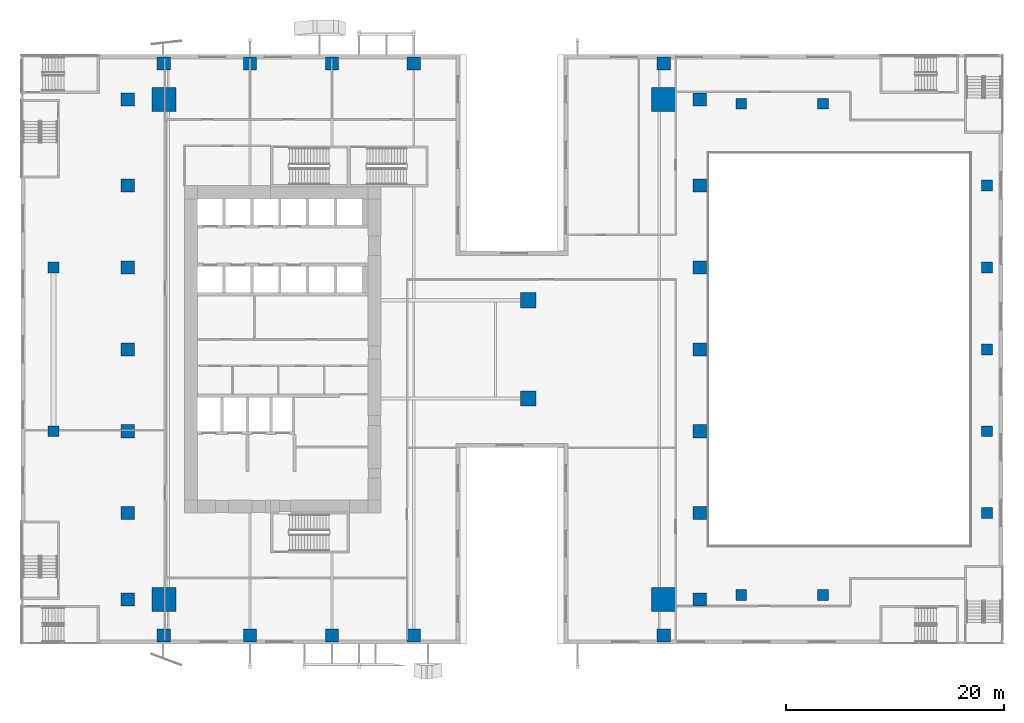
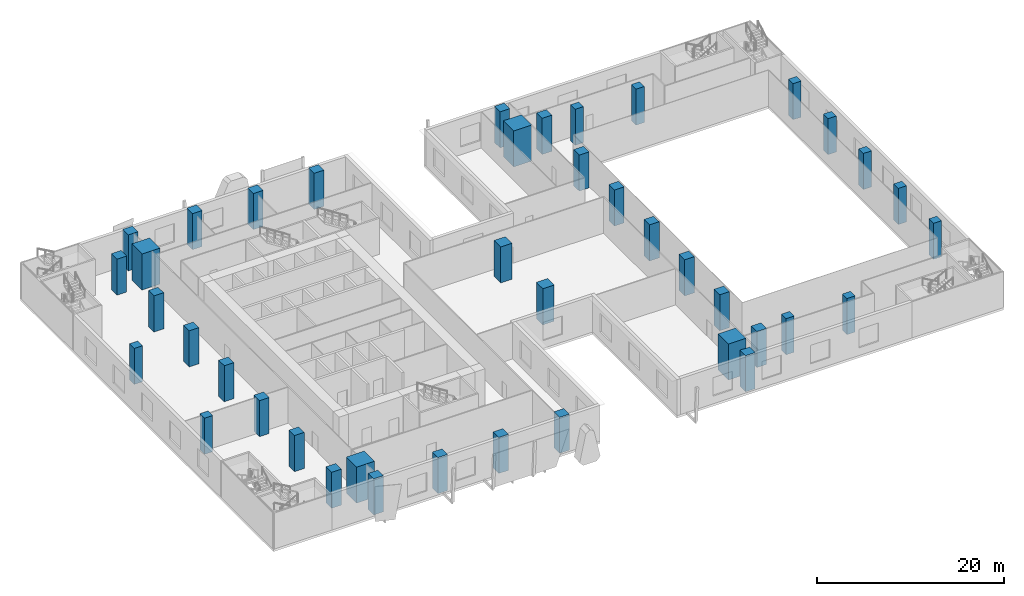
# One storey, part 1 of 22: 41 columns.
"""IFC4 building model written with IfcOpenShell, lengths in metres."""

from ifc_helpers import new_model, si_unit, direction, frame, origin, origin_2d, place, context, subcontext, project, spatial, rectangle, extrude, source, transform, mapped, material, material_profile, profile_set, type_object, element, save


model = new_model("IFC4")

# Units and contexts
model_context = context("Model", 3, precision=1e-05, world=origin(), true_north=direction((0.0, 1.0)))
body_context = subcontext(model_context, "Body", "Model", "MODEL_VIEW")
ifc_project = project(units=[si_unit("LENGTHUNIT", "METRE"), si_unit("AREAUNIT", "SQUARE_METRE"), si_unit("VOLUMEUNIT", "CUBIC_METRE"), si_unit("PLANEANGLEUNIT", "RADIAN"), si_unit("MASSUNIT", "GRAM", prefix="KILO")], contexts=[model_context])

# Site, building, storey
site_placement = place(None, origin())
site = spatial("IfcSite", under=ifc_project, at=site_placement, CompositionType="ELEMENT")
building_placement = place(site_placement, origin())
building = spatial("IfcBuilding", under=site, at=building_placement, Name="Khomas Fold Tower", CompositionType="ELEMENT")
storey_placement = place(building_placement, frame((0.0, 0.0, 23.5)))
storey = spatial("IfcBuildingStorey", under=building, at=storey_placement, Name="L04", CompositionType="ELEMENT", Elevation=23.5)

# Columns
ifc_material_1 = material(Name="Concrete C70/85", Category="concrete")
ifc_material_profile_1 = material_profile(ifc_material_1, rectangle(XDim=2.199951171875, YDim=2.199951171875, at=origin_2d()), Name="RC 2200x2200")
ifc_profile_set_1 = profile_set([ifc_material_profile_1], Name="Concrete C70/85")
column_type_1 = type_object("IfcColumnType", Name="RC 2200x2200 column", PredefinedType="COLUMN", material=ifc_profile_set_1)
shared_shape_1 = source(origin(), body_context, "Body", "SweptSolid", [
    extrude(rectangle(XDim=2.199951171875, YDim=2.199951171875, at=origin_2d()), origin(), (0.0, 0.0, 1.0), 4.699951171875),
])
for number, where, z_axis, x_axis, name in (
    (1, (49.89990234375, 49.89990234375, 0.0), (0.0, 0.0, 1.0), (1.0, 0.0, 0.0), "CM-NE"),
    (2, (4.10009765625, 49.89990234375, 0.0), (0.0, 0.0, 1.0), (1.0, 0.0, 0.0), "CM-NW"),
    (3, (49.89990234375, 4.10009765625, 0.0), (0.0, 0.0, 1.0), (1.0, 0.0, 0.0), "CM-SE"),
    (4, (4.10009765625, 4.10009765625, 0.0), (0.0, 0.0, 1.0), (1.0, 0.0, 0.0), "CM-SW"),
):
    element("IfcColumn", number, at=place(storey_placement, frame(where, z_axis=z_axis, x_axis=x_axis)), inside=storey, type_object=column_type_1, Name=name, PredefinedType="COLUMN", context=body_context, shape_type="MappedRepresentation", body=[
        mapped(shared_shape_1, transform((0.0, 0.0, 0.0))),
    ])
ifc_material_2 = material(Name="Concrete C60/75", Category="concrete")
ifc_material_profile_2 = material_profile(ifc_material_2, rectangle(XDim=1.199951171875, YDim=1.199951171875, at=origin_2d()), Name="RC 1200x1200")
ifc_profile_set_2 = profile_set([ifc_material_profile_2], Name="Concrete C60/75")
column_type_2 = type_object("IfcColumnType", Name="RC 1200x1200 column", PredefinedType="COLUMN", material=ifc_profile_set_2)
shared_shape_2 = source(origin(), body_context, "Body", "SweptSolid", [
    extrude(rectangle(XDim=1.199951171875, YDim=1.199951171875, at=origin_2d()), origin(), (0.0, 0.0, 1.0), 4.699951171875),
])
for number, where, z_axis, x_axis, name in (
    (5, (4.10009765625, 0.800048828125, 0.0), (0.0, 0.0, 1.0), (1.0, 0.0, 0.0), "C-2-SF1"),
    (6, (12.0, 0.800048828125, 0.0), (0.0, 0.0, 1.0), (1.0, 0.0, 0.0), "C-6-SF1"),
    (7, (19.5, 0.800048828125, 0.0), (0.0, 0.0, 1.0), (1.0, 0.0, 0.0), "C-8-SF1"),
    (8, (27.0, 0.800048828125, 0.0), (0.0, 0.0, 1.0), (1.0, 0.0, 0.0), "C-9-SF1"),
    (9, (49.89990234375, 0.800048828125, 0.0), (0.0, 0.0, 1.0), (1.0, 0.0, 0.0), "C-17-SF1"),
    (10, (53.199951171875, 4.10009765625, 0.0), (0.0, 0.0, 1.0), (1.0, 0.0, 0.0), "C-E1-A"),
    (11, (53.199951171875, 12.0, 0.0), (0.0, 0.0, 1.0), (1.0, 0.0, 0.0), "C-E1-F"),
    (12, (53.199951171875, 19.5, 0.0), (0.0, 0.0, 1.0), (1.0, 0.0, 0.0), "C-E1-J"),
    (13, (53.199951171875, 27.0, 0.0), (0.0, 0.0, 1.0), (1.0, 0.0, 0.0), "C-E1-L"),
    (14, (53.199951171875, 34.5, 0.0), (0.0, 0.0, 1.0), (1.0, 0.0, 0.0), "C-E1-N"),
    (15, (53.199951171875, 42.0, 0.0), (0.0, 0.0, 1.0), (1.0, 0.0, 0.0), "C-E1-R"),
    (16, (53.199951171875, 49.89990234375, 0.0), (0.0, 0.0, 1.0), (1.0, 0.0, 0.0), "C-E1-W"),
    (17, (4.10009765625, 53.199951171875, 0.0), (0.0, 0.0, 1.0), (1.0, 0.0, 0.0), "C-2-NF1"),
    (18, (12.0, 53.199951171875, 0.0), (0.0, 0.0, 1.0), (1.0, 0.0, 0.0), "C-6-NF1"),
    (19, (19.5, 53.199951171875, 0.0), (0.0, 0.0, 1.0), (1.0, 0.0, 0.0), "C-8-NF1"),
    (20, (27.0, 53.199951171875, 0.0), (0.0, 0.0, 1.0), (1.0, 0.0, 0.0), "C-9-NF1"),
    (21, (49.89990234375, 53.199951171875, 0.0), (0.0, 0.0, 1.0), (1.0, 0.0, 0.0), "C-17-NF1"),
    (22, (0.800048828125, 4.10009765625, 0.0), (0.0, 0.0, 1.0), (1.0, 0.0, 0.0), "C-W1-A"),
    (23, (0.800048828125, 12.0, 0.0), (0.0, 0.0, 1.0), (1.0, 0.0, 0.0), "C-W1-F"),
    (24, (0.800048828125, 19.5, 0.0), (0.0, 0.0, 1.0), (1.0, 0.0, 0.0), "C-W1-J"),
    (25, (0.800048828125, 27.0, 0.0), (0.0, 0.0, 1.0), (1.0, 0.0, 0.0), "C-W1-L"),
    (26, (0.800048828125, 34.5, 0.0), (0.0, 0.0, 1.0), (1.0, 0.0, 0.0), "C-W1-N"),
    (27, (0.800048828125, 42.0, 0.0), (0.0, 0.0, 1.0), (1.0, 0.0, 0.0), "C-W1-R"),
    (28, (0.800048828125, 49.89990234375, 0.0), (0.0, 0.0, 1.0), (1.0, 0.0, 0.0), "C-W1-W"),
):
    element("IfcColumn", number, at=place(storey_placement, frame(where, z_axis=z_axis, x_axis=x_axis)), inside=storey, type_object=column_type_2, Name=name, PredefinedType="COLUMN", context=body_context, shape_type="MappedRepresentation", body=[
        mapped(shared_shape_2, transform((0.0, 0.0, 0.0))),
    ])
ifc_material_3 = material(Name="Concrete C60/75", Category="concrete")
ifc_material_profile_3 = material_profile(ifc_material_3, rectangle(XDim=1.39990234375, YDim=1.39990234375, at=origin_2d()), Name="RC 1400x1400")
ifc_profile_set_3 = profile_set([ifc_material_profile_3], Name="Concrete C60/75")
column_type_3 = type_object("IfcColumnType", Name="RC 1400x1400 column", PredefinedType="COLUMN", material=ifc_profile_set_3)
shared_shape_3 = source(origin(), body_context, "Body", "SweptSolid", [
    extrude(rectangle(XDim=1.39990234375, YDim=1.39990234375, at=origin_2d()), origin(), (0.0, 0.0, 1.0), 4.699951171875),
])
for number, where, z_axis, x_axis, name in (
    (29, (37.5, 22.5, 0.0), (0.0, 0.0, 1.0), (1.0, 0.0, 0.0), "C-11-K"),
    (30, (37.5, 31.5, 0.0), (0.0, 0.0, 1.0), (1.0, 0.0, 0.0), "C-11-M"),
):
    element("IfcColumn", number, at=place(storey_placement, frame(where, z_axis=z_axis, x_axis=x_axis)), inside=storey, type_object=column_type_3, Name=name, PredefinedType="COLUMN", context=body_context, shape_type="MappedRepresentation", body=[
        mapped(shared_shape_3, transform((0.0, 0.0, 0.0))),
    ])
ifc_material_4 = material(Name="Concrete C50/60", Category="concrete")
ifc_material_profile_4 = material_profile(ifc_material_4, rectangle(XDim=1.0, YDim=1.0, at=origin_2d()), Name="RC 1000x1000")
ifc_profile_set_4 = profile_set([ifc_material_profile_4], Name="Concrete C50/60")
column_type_4 = type_object("IfcColumnType", Name="RC 1000x1000 column", PredefinedType="COLUMN", material=ifc_profile_set_4)
shared_shape_4 = source(origin(), body_context, "Body", "SweptSolid", [
    extrude(rectangle(XDim=1.0, YDim=1.0, at=origin_2d()), origin(), (0.0, 0.0, 1.0), 4.699951171875),
])
for number, where, z_axis, x_axis, name in (
    (31, (-6.0, 19.5, 0.0), (0.0, 0.0, 1.0), (1.0, 0.0, 0.0), "C-1-J"),
    (32, (-6.0, 34.5, 0.0), (0.0, 0.0, 1.0), (1.0, 0.0, 0.0), "C-1-N"),
    (33, (57.0, 4.5, 0.0), (0.0, 0.0, 1.0), (1.0, 0.0, 0.0), "C-18-B"),
    (34, (57.0, 49.5, 0.0), (0.0, 0.0, 1.0), (1.0, 0.0, 0.0), "C-18-V"),
    (35, (64.5, 4.5, 0.0), (0.0, 0.0, 1.0), (1.0, 0.0, 0.0), "C-19-B"),
    (36, (64.5, 49.5, 0.0), (0.0, 0.0, 1.0), (1.0, 0.0, 0.0), "C-19-V"),
    (37, (79.5, 12.0, 0.0), (0.0, 0.0, 1.0), (1.0, 0.0, 0.0), "C-20-F"),
    (38, (79.5, 19.5, 0.0), (0.0, 0.0, 1.0), (1.0, 0.0, 0.0), "C-20-J"),
    (39, (79.5, 27.0, 0.0), (0.0, 0.0, 1.0), (1.0, 0.0, 0.0), "C-20-L"),
    (40, (79.5, 34.5, 0.0), (0.0, 0.0, 1.0), (1.0, 0.0, 0.0), "C-20-N"),
    (41, (79.5, 42.0, 0.0), (0.0, 0.0, 1.0), (1.0, 0.0, 0.0), "C-20-R"),
):
    element("IfcColumn", number, at=place(storey_placement, frame(where, z_axis=z_axis, x_axis=x_axis)), inside=storey, type_object=column_type_4, Name=name, PredefinedType="COLUMN", context=body_context, shape_type="MappedRepresentation", body=[
        mapped(shared_shape_4, transform((0.0, 0.0, 0.0))),
    ])

save(model, "model.ifc")
